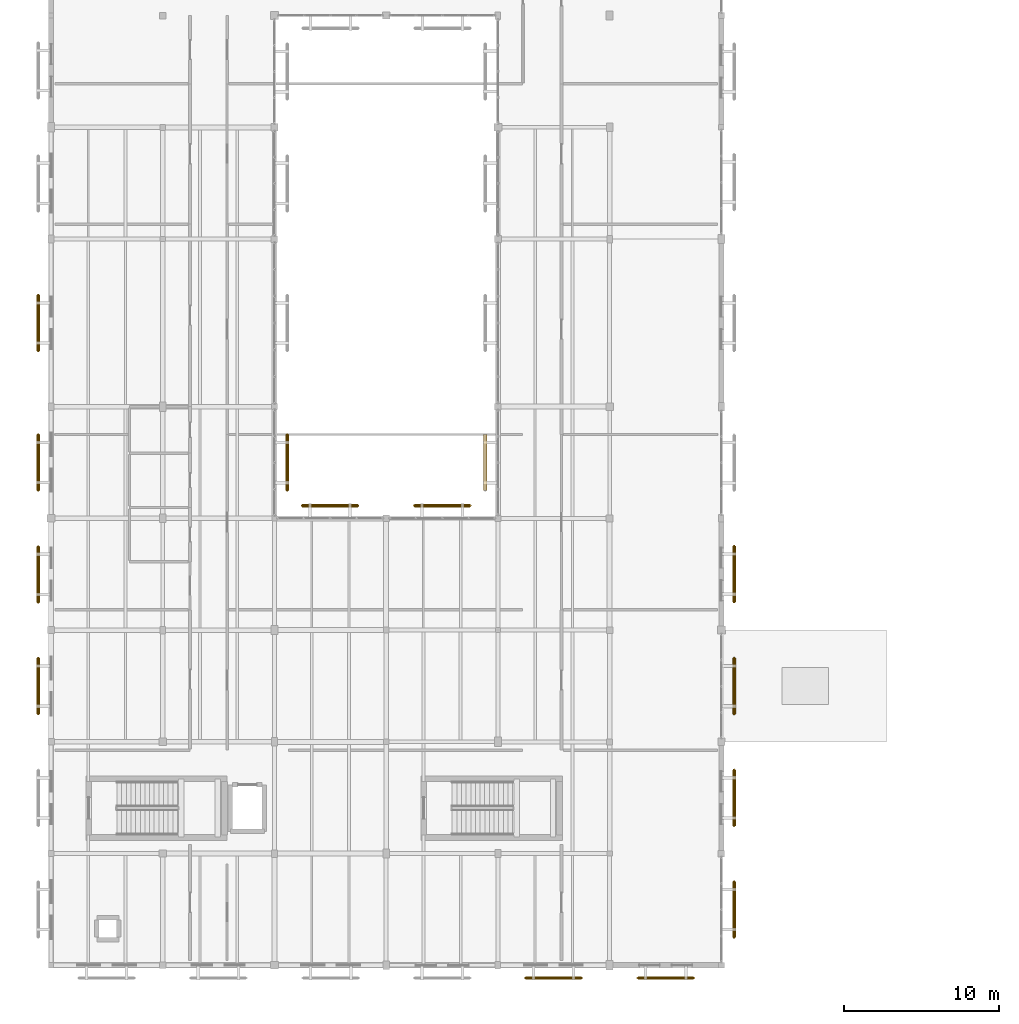
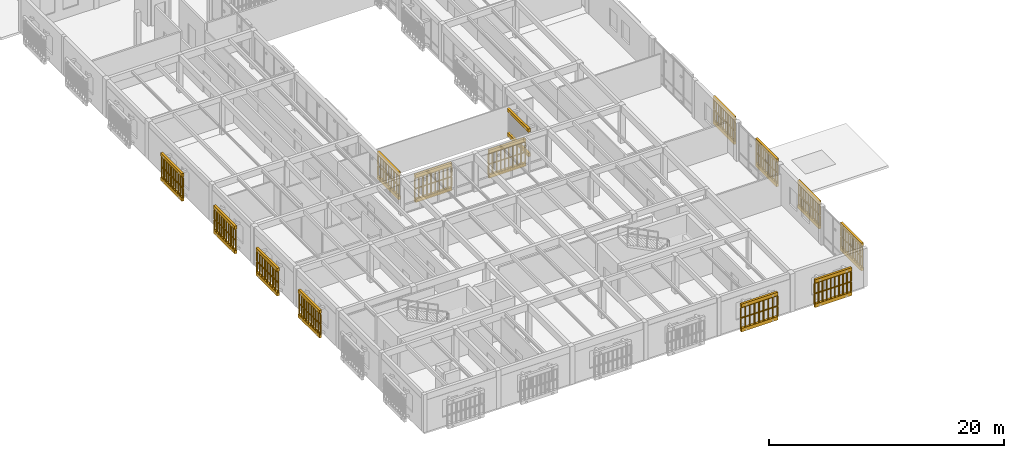
# One storey, part 57 of 61: 28 coverings, 26 railings.
"""IFC4 building model written with IfcOpenShell, lengths in metres."""

from ifc_helpers import new_model, si_unit, direction, frame, origin, origin_2d, place, context, subcontext, project, spatial, polyline, circle, outline, extrude, material, layer, layer_set, type_object, element, save


model = new_model("IFC4")

# Units and contexts
model_context = context("Model", 3, precision=1e-05, world=origin(), true_north=direction((0.0, 1.0)))
body_context = subcontext(model_context, "Body", "Model", "MODEL_VIEW")
ifc_project = project(units=[si_unit("LENGTHUNIT", "METRE"), si_unit("AREAUNIT", "SQUARE_METRE"), si_unit("VOLUMEUNIT", "CUBIC_METRE"), si_unit("PLANEANGLEUNIT", "RADIAN"), si_unit("MASSUNIT", "GRAM", prefix="KILO")], contexts=[model_context])

# Site, building, storey
site_placement = place(None, origin())
site = spatial("IfcSite", under=ifc_project, at=site_placement, CompositionType="ELEMENT")
building_placement = place(site_placement, origin())
building = spatial("IfcBuilding", under=site, at=building_placement, Name="Mazaris Harbour Polytechnic", CompositionType="ELEMENT")
storey_placement = place(building_placement, frame((0.0, 0.0, 18.0)))
storey = spatial("IfcBuildingStorey", under=building, at=storey_placement, Name="L04", CompositionType="ELEMENT", Elevation=18.0)

# Railings
ifc_material_1 = material(Name="Perforated Earth-Coloured Terracotta Block", Category="masonry")
railing_type = type_object("IfcRailingType", Name="Perforated Earth-Block Claustra Lattice 1040", PredefinedType="BALUSTRADE", material=ifc_material_1)
for number, where, name in (
    (1, (34.179931640625, 6.3798828125, 0.52001953125), "V4 L04 Lower Perforated Terracotta Block Screen 298"),
    (2, (34.179931640625, 6.3798828125, 1.610107421875), "V4 L04 Upper Perforated Terracotta Block Screen 298"),
):
    element("IfcRailing", number, at=place(storey_placement, frame(where)), inside=storey, type_object=railing_type, Name=name, PredefinedType="BALUSTRADE", context=body_context, shape_type="SweptSolid", body=[
        extrude(circle(Radius=0.06982421875, at=origin_2d()), frame((0.0, 0.0, 1.02001953125), z_axis=(-1.0, 0.0, 0.0), x_axis=(0.0, -1.0, 0.0)), (0.0, 0.0, 1.0), 3.599853515625),
        extrude(circle(Radius=0.074951171875, at=origin_2d()), origin(), (0.0, 0.0, 1.0), 0.9501953125),
        extrude(circle(Radius=0.074951171875, at=origin_2d()), frame((-0.449951171875, 0.0, 0.0)), (0.0, 0.0, 1.0), 0.9501953125),
        extrude(circle(Radius=0.074951171875, at=origin_2d()), frame((-0.89990234375, 0.0, 0.0)), (0.0, 0.0, 1.0), 0.9501953125),
        extrude(circle(Radius=0.074951171875, at=origin_2d()), frame((-1.349853515625, 0.0, 0.0)), (0.0, 0.0, 1.0), 0.9501953125),
        extrude(circle(Radius=0.074951171875, at=origin_2d()), frame((-1.7998046875, 0.0, 0.0)), (0.0, 0.0, 1.0), 0.9501953125),
        extrude(circle(Radius=0.074951171875, at=origin_2d()), frame((-2.25, 0.0, 0.0)), (0.0, 0.0, 1.0), 0.9501953125),
        extrude(circle(Radius=0.074951171875, at=origin_2d()), frame((-2.699951171875, 0.0, 0.0)), (0.0, 0.0, 1.0), 0.9501953125),
        extrude(circle(Radius=0.074951171875, at=origin_2d()), frame((-3.14990234375, 0.0, 0.0)), (0.0, 0.0, 1.0), 0.9501953125),
        extrude(circle(Radius=0.074951171875, at=origin_2d()), frame((-3.599853515625, 0.0, 0.0)), (0.0, 0.0, 1.0), 0.9501953125),
    ])
for number, where, name in (
    (3, (41.4150390625, 6.3798828125, 0.52001953125), "V4 L04 Lower Perforated Terracotta Block Screen 299"),
    (4, (41.4150390625, 6.3798828125, 1.610107421875), "V4 L04 Upper Perforated Terracotta Block Screen 299"),
):
    element("IfcRailing", number, at=place(storey_placement, frame(where)), inside=storey, type_object=railing_type, Name=name, PredefinedType="BALUSTRADE", context=body_context, shape_type="SweptSolid", body=[
        extrude(circle(Radius=0.06982421875, at=origin_2d()), frame((0.0, 0.0, 1.02001953125), z_axis=(-1.0, 0.0, 0.0), x_axis=(0.0, -1.0, 0.0)), (0.0, 0.0, 1.0), 3.60009765625),
        extrude(circle(Radius=0.074951171875, at=origin_2d()), origin(), (0.0, 0.0, 1.0), 0.9501953125),
        extrude(circle(Radius=0.074951171875, at=origin_2d()), frame((-0.39990234375, 0.0, 0.0)), (0.0, 0.0, 1.0), 0.9501953125),
        extrude(circle(Radius=0.074951171875, at=origin_2d()), frame((-0.800048828125, 0.0, 0.0)), (0.0, 0.0, 1.0), 0.9501953125),
        extrude(circle(Radius=0.074951171875, at=origin_2d()), frame((-1.199951171875, 0.0, 0.0)), (0.0, 0.0, 1.0), 0.9501953125),
        extrude(circle(Radius=0.074951171875, at=origin_2d()), frame((-1.60009765625, 0.0, 0.0)), (0.0, 0.0, 1.0), 0.9501953125),
        extrude(circle(Radius=0.074951171875, at=origin_2d()), frame((-2.0, 0.0, 0.0)), (0.0, 0.0, 1.0), 0.9501953125),
        extrude(circle(Radius=0.074951171875, at=origin_2d()), frame((-2.400146484375, 0.0, 0.0)), (0.0, 0.0, 1.0), 0.9501953125),
        extrude(circle(Radius=0.074951171875, at=origin_2d()), frame((-2.800048828125, 0.0, 0.0)), (0.0, 0.0, 1.0), 0.9501953125),
        extrude(circle(Radius=0.074951171875, at=origin_2d()), frame((-3.2001953125, 0.0, 0.0)), (0.0, 0.0, 1.0), 0.9501953125),
        extrude(circle(Radius=0.074951171875, at=origin_2d()), frame((-3.60009765625, 0.0, 0.0)), (0.0, 0.0, 1.0), 0.9501953125),
    ])
for number, where, name in (
    (5, (-0.820068359375, 23.389892578125, 0.52001953125), "V4 L04 Lower Perforated Terracotta Block Screen 308"),
    (6, (-0.820068359375, 23.389892578125, 1.610107421875), "V4 L04 Upper Perforated Terracotta Block Screen 308"),
):
    element("IfcRailing", number, at=place(storey_placement, frame(where)), inside=storey, type_object=railing_type, Name=name, PredefinedType="BALUSTRADE", context=body_context, shape_type="SweptSolid", body=[
        extrude(circle(Radius=0.06982421875, at=origin_2d()), frame((0.0, 0.0, 1.02001953125), z_axis=(0.0, 1.0, 0.0), x_axis=(-1.0, 0.0, 0.0)), (0.0, 0.0, 1.0), 3.60009765625),
        extrude(circle(Radius=0.074951171875, at=origin_2d()), origin(), (0.0, 0.0, 1.0), 0.9501953125),
        extrude(circle(Radius=0.074951171875, at=origin_2d()), frame((0.0, 0.39990234375, 0.0)), (0.0, 0.0, 1.0), 0.9501953125),
        extrude(circle(Radius=0.074951171875, at=origin_2d()), frame((0.0, 0.800048828125, 0.0)), (0.0, 0.0, 1.0), 0.9501953125),
        extrude(circle(Radius=0.074951171875, at=origin_2d()), frame((0.0, 1.199951171875, 0.0)), (0.0, 0.0, 1.0), 0.9501953125),
        extrude(circle(Radius=0.074951171875, at=origin_2d()), frame((0.0, 1.60009765625, 0.0)), (0.0, 0.0, 1.0), 0.9501953125),
        extrude(circle(Radius=0.074951171875, at=origin_2d()), frame((0.0, 2.0, 0.0)), (0.0, 0.0, 1.0), 0.9501953125),
        extrude(circle(Radius=0.074951171875, at=origin_2d()), frame((0.0, 2.400146484375, 0.0)), (0.0, 0.0, 1.0), 0.9501953125),
        extrude(circle(Radius=0.074951171875, at=origin_2d()), frame((0.0, 2.800048828125, 0.0)), (0.0, 0.0, 1.0), 0.9501953125),
        extrude(circle(Radius=0.074951171875, at=origin_2d()), frame((0.0, 3.2001953125, 0.0)), (0.0, 0.0, 1.0), 0.9501953125),
        extrude(circle(Radius=0.074951171875, at=origin_2d()), frame((0.0, 3.60009765625, 0.0)), (0.0, 0.0, 1.0), 0.9501953125),
    ])
for number, where, name in (
    (7, (-0.820068359375, 30.590087890625, 0.52001953125), "V4 L04 Lower Perforated Terracotta Block Screen 309"),
    (8, (-0.820068359375, 30.590087890625, 1.610107421875), "V4 L04 Upper Perforated Terracotta Block Screen 309"),
):
    element("IfcRailing", number, at=place(storey_placement, frame(where)), inside=storey, type_object=railing_type, Name=name, PredefinedType="BALUSTRADE", context=body_context, shape_type="SweptSolid", body=[
        extrude(circle(Radius=0.06982421875, at=origin_2d()), frame((0.0, 0.0, 1.02001953125), z_axis=(0.0, 1.0, 0.0), x_axis=(-1.0, 0.0, 0.0)), (0.0, 0.0, 1.0), 3.599853515625),
        extrude(circle(Radius=0.074951171875, at=origin_2d()), origin(), (0.0, 0.0, 1.0), 0.9501953125),
        extrude(circle(Radius=0.074951171875, at=origin_2d()), frame((0.0, 0.449951171875, 0.0)), (0.0, 0.0, 1.0), 0.9501953125),
        extrude(circle(Radius=0.074951171875, at=origin_2d()), frame((0.0, 0.89990234375, 0.0)), (0.0, 0.0, 1.0), 0.9501953125),
        extrude(circle(Radius=0.074951171875, at=origin_2d()), frame((0.0, 1.349853515625, 0.0)), (0.0, 0.0, 1.0), 0.9501953125),
        extrude(circle(Radius=0.074951171875, at=origin_2d()), frame((0.0, 1.7998046875, 0.0)), (0.0, 0.0, 1.0), 0.9501953125),
        extrude(circle(Radius=0.074951171875, at=origin_2d()), frame((0.0, 2.25, 0.0)), (0.0, 0.0, 1.0), 0.9501953125),
        extrude(circle(Radius=0.074951171875, at=origin_2d()), frame((0.0, 2.699951171875, 0.0)), (0.0, 0.0, 1.0), 0.9501953125),
        extrude(circle(Radius=0.074951171875, at=origin_2d()), frame((0.0, 3.14990234375, 0.0)), (0.0, 0.0, 1.0), 0.9501953125),
        extrude(circle(Radius=0.074951171875, at=origin_2d()), frame((0.0, 3.599853515625, 0.0)), (0.0, 0.0, 1.0), 0.9501953125),
    ])
for number, where, name in (
    (9, (-0.820068359375, 37.804931640625, 0.52001953125), "V4 L04 Lower Perforated Terracotta Block Screen 310"),
    (10, (-0.820068359375, 37.804931640625, 1.610107421875), "V4 L04 Upper Perforated Terracotta Block Screen 310"),
    (11, (-0.820068359375, 46.784912109375, 0.52001953125), "V4 L04 Lower Perforated Terracotta Block Screen 311"),
    (12, (-0.820068359375, 46.784912109375, 1.610107421875), "V4 L04 Upper Perforated Terracotta Block Screen 311"),
):
    element("IfcRailing", number, at=place(storey_placement, frame(where)), inside=storey, type_object=railing_type, Name=name, PredefinedType="BALUSTRADE", context=body_context, shape_type="SweptSolid", body=[
        extrude(circle(Radius=0.06982421875, at=origin_2d()), frame((0.0, 0.0, 1.02001953125), z_axis=(0.0, 1.0, 0.0), x_axis=(-1.0, 0.0, 0.0)), (0.0, 0.0, 1.0), 3.60009765625),
        extrude(circle(Radius=0.074951171875, at=origin_2d()), origin(), (0.0, 0.0, 1.0), 0.9501953125),
        extrude(circle(Radius=0.074951171875, at=origin_2d()), frame((0.0, 0.39990234375, 0.0)), (0.0, 0.0, 1.0), 0.9501953125),
        extrude(circle(Radius=0.074951171875, at=origin_2d()), frame((0.0, 0.800048828125, 0.0)), (0.0, 0.0, 1.0), 0.9501953125),
        extrude(circle(Radius=0.074951171875, at=origin_2d()), frame((0.0, 1.199951171875, 0.0)), (0.0, 0.0, 1.0), 0.9501953125),
        extrude(circle(Radius=0.074951171875, at=origin_2d()), frame((0.0, 1.60009765625, 0.0)), (0.0, 0.0, 1.0), 0.9501953125),
        extrude(circle(Radius=0.074951171875, at=origin_2d()), frame((0.0, 2.0, 0.0)), (0.0, 0.0, 1.0), 0.9501953125),
        extrude(circle(Radius=0.074951171875, at=origin_2d()), frame((0.0, 2.400146484375, 0.0)), (0.0, 0.0, 1.0), 0.9501953125),
        extrude(circle(Radius=0.074951171875, at=origin_2d()), frame((0.0, 2.800048828125, 0.0)), (0.0, 0.0, 1.0), 0.9501953125),
        extrude(circle(Radius=0.074951171875, at=origin_2d()), frame((0.0, 3.2001953125, 0.0)), (0.0, 0.0, 1.0), 0.9501953125),
        extrude(circle(Radius=0.074951171875, at=origin_2d()), frame((0.0, 3.60009765625, 0.0)), (0.0, 0.0, 1.0), 0.9501953125),
    ])
for number, where, name in (
    (13, (44.02001953125, 12.590087890625, 0.52001953125), "V4 L04 Lower Perforated Terracotta Block Screen 315"),
    (14, (44.02001953125, 12.590087890625, 1.610107421875), "V4 L04 Upper Perforated Terracotta Block Screen 315"),
    (15, (44.02001953125, 19.7900390625, 0.52001953125), "V4 L04 Lower Perforated Terracotta Block Screen 316"),
    (16, (44.02001953125, 19.7900390625, 1.610107421875), "V4 L04 Upper Perforated Terracotta Block Screen 316"),
    (17, (44.02001953125, 26.989990234375, 0.52001953125), "V4 L04 Lower Perforated Terracotta Block Screen 317"),
    (18, (44.02001953125, 26.989990234375, 1.610107421875), "V4 L04 Upper Perforated Terracotta Block Screen 317"),
    (19, (44.02001953125, 34.205078125, 0.52001953125), "V4 L04 Lower Perforated Terracotta Block Screen 318"),
    (20, (44.02001953125, 34.205078125, 1.610107421875), "V4 L04 Upper Perforated Terracotta Block Screen 318"),
):
    element("IfcRailing", number, at=place(storey_placement, frame(where)), inside=storey, type_object=railing_type, Name=name, PredefinedType="BALUSTRADE", context=body_context, shape_type="SweptSolid", body=[
        extrude(circle(Radius=0.06982421875, at=origin_2d()), frame((0.0, 0.0, 1.02001953125), z_axis=(0.0, -1.0, 0.0), x_axis=(1.0, 0.0, 0.0)), (0.0, 0.0, 1.0), 3.60009765625),
        extrude(circle(Radius=0.074951171875, at=origin_2d()), origin(), (0.0, 0.0, 1.0), 0.9501953125),
        extrude(circle(Radius=0.074951171875, at=origin_2d()), frame((0.0, -0.39990234375, 0.0)), (0.0, 0.0, 1.0), 0.9501953125),
        extrude(circle(Radius=0.074951171875, at=origin_2d()), frame((0.0, -0.800048828125, 0.0)), (0.0, 0.0, 1.0), 0.9501953125),
        extrude(circle(Radius=0.074951171875, at=origin_2d()), frame((0.0, -1.199951171875, 0.0)), (0.0, 0.0, 1.0), 0.9501953125),
        extrude(circle(Radius=0.074951171875, at=origin_2d()), frame((0.0, -1.60009765625, 0.0)), (0.0, 0.0, 1.0), 0.9501953125),
        extrude(circle(Radius=0.074951171875, at=origin_2d()), frame((0.0, -2.0, 0.0)), (0.0, 0.0, 1.0), 0.9501953125),
        extrude(circle(Radius=0.074951171875, at=origin_2d()), frame((0.0, -2.400146484375, 0.0)), (0.0, 0.0, 1.0), 0.9501953125),
        extrude(circle(Radius=0.074951171875, at=origin_2d()), frame((0.0, -2.800048828125, 0.0)), (0.0, 0.0, 1.0), 0.9501953125),
        extrude(circle(Radius=0.074951171875, at=origin_2d()), frame((0.0, -3.2001953125, 0.0)), (0.0, 0.0, 1.0), 0.9501953125),
        extrude(circle(Radius=0.074951171875, at=origin_2d()), frame((0.0, -3.60009765625, 0.0)), (0.0, 0.0, 1.0), 0.9501953125),
    ])
for number, where, name in (
    (21, (16.179931640625, 36.820068359375, 0.52001953125), "V4 L04 Lower Perforated Terracotta Block Screen 324"),
    (22, (16.179931640625, 36.820068359375, 1.610107421875), "V4 L04 Upper Perforated Terracotta Block Screen 324"),
    (23, (23.409912109375, 36.820068359375, 0.52001953125), "V4 L04 Lower Perforated Terracotta Block Screen 325"),
    (24, (23.409912109375, 36.820068359375, 1.610107421875), "V4 L04 Upper Perforated Terracotta Block Screen 325"),
):
    element("IfcRailing", number, at=place(storey_placement, frame(where)), inside=storey, type_object=railing_type, Name=name, PredefinedType="BALUSTRADE", context=body_context, shape_type="SweptSolid", body=[
        extrude(circle(Radius=0.06982421875, at=origin_2d()), frame((0.0, 0.0, 1.02001953125), z_axis=(1.0, 0.0, 0.0), x_axis=(0.0, 1.0, 0.0)), (0.0, 0.0, 1.0), 3.60009765625),
        extrude(circle(Radius=0.074951171875, at=origin_2d()), origin(), (0.0, 0.0, 1.0), 0.9501953125),
        extrude(circle(Radius=0.074951171875, at=origin_2d()), frame((0.39990234375, 0.0, 0.0)), (0.0, 0.0, 1.0), 0.9501953125),
        extrude(circle(Radius=0.074951171875, at=origin_2d()), frame((0.800048828125, 0.0, 0.0)), (0.0, 0.0, 1.0), 0.9501953125),
        extrude(circle(Radius=0.074951171875, at=origin_2d()), frame((1.199951171875, 0.0, 0.0)), (0.0, 0.0, 1.0), 0.9501953125),
        extrude(circle(Radius=0.074951171875, at=origin_2d()), frame((1.60009765625, 0.0, 0.0)), (0.0, 0.0, 1.0), 0.9501953125),
        extrude(circle(Radius=0.074951171875, at=origin_2d()), frame((2.0, 0.0, 0.0)), (0.0, 0.0, 1.0), 0.9501953125),
        extrude(circle(Radius=0.074951171875, at=origin_2d()), frame((2.400146484375, 0.0, 0.0)), (0.0, 0.0, 1.0), 0.9501953125),
        extrude(circle(Radius=0.074951171875, at=origin_2d()), frame((2.800048828125, 0.0, 0.0)), (0.0, 0.0, 1.0), 0.9501953125),
        extrude(circle(Radius=0.074951171875, at=origin_2d()), frame((3.2001953125, 0.0, 0.0)), (0.0, 0.0, 1.0), 0.9501953125),
        extrude(circle(Radius=0.074951171875, at=origin_2d()), frame((3.60009765625, 0.0, 0.0)), (0.0, 0.0, 1.0), 0.9501953125),
    ])
for number, where, name in (
    (25, (15.219970703125, 37.7900390625, 0.52001953125), "V4 L04 Lower Perforated Terracotta Block Screen 328"),
    (26, (15.219970703125, 37.7900390625, 1.610107421875), "V4 L04 Upper Perforated Terracotta Block Screen 328"),
):
    element("IfcRailing", number, at=place(storey_placement, frame(where)), inside=storey, type_object=railing_type, Name=name, PredefinedType="BALUSTRADE", context=body_context, shape_type="SweptSolid", body=[
        extrude(circle(Radius=0.06982421875, at=origin_2d()), frame((0.0, 0.0, 1.02001953125), z_axis=(0.0, 1.0, 0.0), x_axis=(-1.0, 0.0, 0.0)), (0.0, 0.0, 1.0), 3.599853515625),
        extrude(circle(Radius=0.074951171875, at=origin_2d()), origin(), (0.0, 0.0, 1.0), 0.9501953125),
        extrude(circle(Radius=0.074951171875, at=origin_2d()), frame((0.0, 0.449951171875, 0.0)), (0.0, 0.0, 1.0), 0.9501953125),
        extrude(circle(Radius=0.074951171875, at=origin_2d()), frame((0.0, 0.89990234375, 0.0)), (0.0, 0.0, 1.0), 0.9501953125),
        extrude(circle(Radius=0.074951171875, at=origin_2d()), frame((0.0, 1.349853515625, 0.0)), (0.0, 0.0, 1.0), 0.9501953125),
        extrude(circle(Radius=0.074951171875, at=origin_2d()), frame((0.0, 1.7998046875, 0.0)), (0.0, 0.0, 1.0), 0.9501953125),
        extrude(circle(Radius=0.074951171875, at=origin_2d()), frame((0.0, 2.25, 0.0)), (0.0, 0.0, 1.0), 0.9501953125),
        extrude(circle(Radius=0.074951171875, at=origin_2d()), frame((0.0, 2.699951171875, 0.0)), (0.0, 0.0, 1.0), 0.9501953125),
        extrude(circle(Radius=0.074951171875, at=origin_2d()), frame((0.0, 3.14990234375, 0.0)), (0.0, 0.0, 1.0), 0.9501953125),
        extrude(circle(Radius=0.074951171875, at=origin_2d()), frame((0.0, 3.599853515625, 0.0)), (0.0, 0.0, 1.0), 0.9501953125),
    ])

# Coverings
ifc_material_2 = material(Name="Perforated Earth-Coloured Terracotta Block", Category="masonry")
ifc_layer = layer(ifc_material_2, 0.219970703125, Name="Perforated Earth-Coloured Terracotta Block")
ifc_layer_set = layer_set([ifc_layer], Name="Perforated Earth-Coloured Terracotta Block")
covering_type = type_object("IfcCoveringType", Name="Terracotta Screen Course Cladding 220", PredefinedType="CLADDING", material=ifc_layer_set)
covering_1_placement = place(storey_placement, frame((0.0, 0.0, 0.159912109375)))
element("IfcCovering", 27, at=covering_1_placement, inside=storey, type_object=covering_type, Name="V4 L04 Perforated Screen Sill Course 298", PredefinedType="CLADDING", context=body_context, shape_type="SweptSolid", body=[
    extrude(outline(polyline([(34.179931640625, 6.489990234375), (30.580078125, 6.489990234375), (30.580078125, 6.27001953125), (34.179931640625, 6.27001953125), (34.179931640625, 6.489990234375)])), origin(), (0.0, 0.0, 1.0), 0.360107421875),
])
covering_2_placement = place(storey_placement, frame((0.0, 0.0, 2.699951171875)))
element("IfcCovering", 28, at=covering_2_placement, inside=storey, type_object=covering_type, Name="V4 L04 Perforated Screen Lintel Course 298", PredefinedType="CLADDING", context=body_context, shape_type="SweptSolid", body=[
    extrude(outline(polyline([(34.179931640625, 6.489990234375), (30.580078125, 6.489990234375), (30.580078125, 6.27001953125), (34.179931640625, 6.27001953125), (34.179931640625, 6.489990234375)])), origin(), (0.0, 0.0, 1.0), 0.340087890625),
])
covering_3_placement = place(storey_placement, frame((0.0, 0.0, 0.159912109375)))
element("IfcCovering", 29, at=covering_3_placement, inside=storey, type_object=covering_type, Name="V4 L04 Perforated Screen Sill Course 299", PredefinedType="CLADDING", context=body_context, shape_type="SweptSolid", body=[
    extrude(outline(polyline([(41.4150390625, 6.489990234375), (37.81494140625, 6.489990234375), (37.81494140625, 6.27001953125), (41.4150390625, 6.27001953125), (41.4150390625, 6.489990234375)])), origin(), (0.0, 0.0, 1.0), 0.360107421875),
])
covering_4_placement = place(storey_placement, frame((0.0, 0.0, 2.699951171875)))
element("IfcCovering", 30, at=covering_4_placement, inside=storey, type_object=covering_type, Name="V4 L04 Perforated Screen Lintel Course 299", PredefinedType="CLADDING", context=body_context, shape_type="SweptSolid", body=[
    extrude(outline(polyline([(41.4150390625, 6.489990234375), (37.81494140625, 6.489990234375), (37.81494140625, 6.27001953125), (41.4150390625, 6.27001953125), (41.4150390625, 6.489990234375)])), origin(), (0.0, 0.0, 1.0), 0.340087890625),
])
covering_5_placement = place(storey_placement, frame((0.0, 0.0, 0.159912109375)))
element("IfcCovering", 31, at=covering_5_placement, inside=storey, type_object=covering_type, Name="V4 L04 Perforated Screen Sill Course 308", PredefinedType="CLADDING", context=body_context, shape_type="SweptSolid", body=[
    extrude(outline(polyline([(-0.7099609375, 23.389892578125), (-0.7099609375, 26.989990234375), (-0.929931640625, 26.989990234375), (-0.929931640625, 23.389892578125), (-0.7099609375, 23.389892578125)])), origin(), (0.0, 0.0, 1.0), 0.360107421875),
])
covering_6_placement = place(storey_placement, frame((0.0, 0.0, 2.699951171875)))
element("IfcCovering", 32, at=covering_6_placement, inside=storey, type_object=covering_type, Name="V4 L04 Perforated Screen Lintel Course 308", PredefinedType="CLADDING", context=body_context, shape_type="SweptSolid", body=[
    extrude(outline(polyline([(-0.7099609375, 23.389892578125), (-0.7099609375, 26.989990234375), (-0.929931640625, 26.989990234375), (-0.929931640625, 23.389892578125), (-0.7099609375, 23.389892578125)])), origin(), (0.0, 0.0, 1.0), 0.340087890625),
])
covering_7_placement = place(storey_placement, frame((0.0, 0.0, 0.159912109375)))
element("IfcCovering", 33, at=covering_7_placement, inside=storey, type_object=covering_type, Name="V4 L04 Perforated Screen Sill Course 309", PredefinedType="CLADDING", context=body_context, shape_type="SweptSolid", body=[
    extrude(outline(polyline([(-0.7099609375, 30.590087890625), (-0.7099609375, 34.18994140625), (-0.929931640625, 34.18994140625), (-0.929931640625, 30.590087890625), (-0.7099609375, 30.590087890625)])), origin(), (0.0, 0.0, 1.0), 0.360107421875),
])
covering_8_placement = place(storey_placement, frame((0.0, 0.0, 2.699951171875)))
element("IfcCovering", 34, at=covering_8_placement, inside=storey, type_object=covering_type, Name="V4 L04 Perforated Screen Lintel Course 309", PredefinedType="CLADDING", context=body_context, shape_type="SweptSolid", body=[
    extrude(outline(polyline([(-0.7099609375, 30.590087890625), (-0.7099609375, 34.18994140625), (-0.929931640625, 34.18994140625), (-0.929931640625, 30.590087890625), (-0.7099609375, 30.590087890625)])), origin(), (0.0, 0.0, 1.0), 0.340087890625),
])
covering_9_placement = place(storey_placement, frame((0.0, 0.0, 0.159912109375)))
element("IfcCovering", 35, at=covering_9_placement, inside=storey, type_object=covering_type, Name="V4 L04 Perforated Screen Sill Course 310", PredefinedType="CLADDING", context=body_context, shape_type="SweptSolid", body=[
    extrude(outline(polyline([(-0.7099609375, 37.804931640625), (-0.7099609375, 41.405029296875), (-0.929931640625, 41.405029296875), (-0.929931640625, 37.804931640625), (-0.7099609375, 37.804931640625)])), origin(), (0.0, 0.0, 1.0), 0.360107421875),
])
covering_10_placement = place(storey_placement, frame((0.0, 0.0, 2.699951171875)))
element("IfcCovering", 36, at=covering_10_placement, inside=storey, type_object=covering_type, Name="V4 L04 Perforated Screen Lintel Course 310", PredefinedType="CLADDING", context=body_context, shape_type="SweptSolid", body=[
    extrude(outline(polyline([(-0.7099609375, 37.804931640625), (-0.7099609375, 41.405029296875), (-0.929931640625, 41.405029296875), (-0.929931640625, 37.804931640625), (-0.7099609375, 37.804931640625)])), origin(), (0.0, 0.0, 1.0), 0.340087890625),
])
covering_11_placement = place(storey_placement, frame((0.0, 0.0, 0.159912109375)))
element("IfcCovering", 37, at=covering_11_placement, inside=storey, type_object=covering_type, Name="V4 L04 Perforated Screen Sill Course 311", PredefinedType="CLADDING", context=body_context, shape_type="SweptSolid", body=[
    extrude(outline(polyline([(-0.7099609375, 46.784912109375), (-0.7099609375, 50.385009765625), (-0.929931640625, 50.385009765625), (-0.929931640625, 46.784912109375), (-0.7099609375, 46.784912109375)])), origin(), (0.0, 0.0, 1.0), 0.360107421875),
])
covering_12_placement = place(storey_placement, frame((0.0, 0.0, 2.699951171875)))
element("IfcCovering", 38, at=covering_12_placement, inside=storey, type_object=covering_type, Name="V4 L04 Perforated Screen Lintel Course 311", PredefinedType="CLADDING", context=body_context, shape_type="SweptSolid", body=[
    extrude(outline(polyline([(-0.7099609375, 46.784912109375), (-0.7099609375, 50.385009765625), (-0.929931640625, 50.385009765625), (-0.929931640625, 46.784912109375), (-0.7099609375, 46.784912109375)])), origin(), (0.0, 0.0, 1.0), 0.340087890625),
])
covering_13_placement = place(storey_placement, frame((0.0, 0.0, 0.159912109375)))
element("IfcCovering", 39, at=covering_13_placement, inside=storey, type_object=covering_type, Name="V4 L04 Perforated Screen Sill Course 315", PredefinedType="CLADDING", context=body_context, shape_type="SweptSolid", body=[
    extrude(outline(polyline([(43.909912109375, 12.590087890625), (43.909912109375, 8.989990234375), (44.1298828125, 8.989990234375), (44.1298828125, 12.590087890625), (43.909912109375, 12.590087890625)])), origin(), (0.0, 0.0, 1.0), 0.360107421875),
])
covering_14_placement = place(storey_placement, frame((0.0, 0.0, 2.699951171875)))
element("IfcCovering", 40, at=covering_14_placement, inside=storey, type_object=covering_type, Name="V4 L04 Perforated Screen Lintel Course 315", PredefinedType="CLADDING", context=body_context, shape_type="SweptSolid", body=[
    extrude(outline(polyline([(43.909912109375, 12.590087890625), (43.909912109375, 8.989990234375), (44.1298828125, 8.989990234375), (44.1298828125, 12.590087890625), (43.909912109375, 12.590087890625)])), origin(), (0.0, 0.0, 1.0), 0.340087890625),
])
covering_15_placement = place(storey_placement, frame((0.0, 0.0, 0.159912109375)))
element("IfcCovering", 41, at=covering_15_placement, inside=storey, type_object=covering_type, Name="V4 L04 Perforated Screen Sill Course 316", PredefinedType="CLADDING", context=body_context, shape_type="SweptSolid", body=[
    extrude(outline(polyline([(43.909912109375, 19.7900390625), (43.909912109375, 16.18994140625), (44.1298828125, 16.18994140625), (44.1298828125, 19.7900390625), (43.909912109375, 19.7900390625)])), origin(), (0.0, 0.0, 1.0), 0.360107421875),
])
covering_16_placement = place(storey_placement, frame((0.0, 0.0, 2.699951171875)))
element("IfcCovering", 42, at=covering_16_placement, inside=storey, type_object=covering_type, Name="V4 L04 Perforated Screen Lintel Course 316", PredefinedType="CLADDING", context=body_context, shape_type="SweptSolid", body=[
    extrude(outline(polyline([(43.909912109375, 19.7900390625), (43.909912109375, 16.18994140625), (44.1298828125, 16.18994140625), (44.1298828125, 19.7900390625), (43.909912109375, 19.7900390625)])), origin(), (0.0, 0.0, 1.0), 0.340087890625),
])
covering_17_placement = place(storey_placement, frame((0.0, 0.0, 0.159912109375)))
element("IfcCovering", 43, at=covering_17_placement, inside=storey, type_object=covering_type, Name="V4 L04 Perforated Screen Sill Course 317", PredefinedType="CLADDING", context=body_context, shape_type="SweptSolid", body=[
    extrude(outline(polyline([(43.909912109375, 26.989990234375), (43.909912109375, 23.389892578125), (44.1298828125, 23.389892578125), (44.1298828125, 26.989990234375), (43.909912109375, 26.989990234375)])), origin(), (0.0, 0.0, 1.0), 0.360107421875),
])
covering_18_placement = place(storey_placement, frame((0.0, 0.0, 2.699951171875)))
element("IfcCovering", 44, at=covering_18_placement, inside=storey, type_object=covering_type, Name="V4 L04 Perforated Screen Lintel Course 317", PredefinedType="CLADDING", context=body_context, shape_type="SweptSolid", body=[
    extrude(outline(polyline([(43.909912109375, 26.989990234375), (43.909912109375, 23.389892578125), (44.1298828125, 23.389892578125), (44.1298828125, 26.989990234375), (43.909912109375, 26.989990234375)])), origin(), (0.0, 0.0, 1.0), 0.340087890625),
])
covering_19_placement = place(storey_placement, frame((0.0, 0.0, 0.159912109375)))
element("IfcCovering", 45, at=covering_19_placement, inside=storey, type_object=covering_type, Name="V4 L04 Perforated Screen Sill Course 318", PredefinedType="CLADDING", context=body_context, shape_type="SweptSolid", body=[
    extrude(outline(polyline([(43.909912109375, 34.205078125), (43.909912109375, 30.60498046875), (44.1298828125, 30.60498046875), (44.1298828125, 34.205078125), (43.909912109375, 34.205078125)])), origin(), (0.0, 0.0, 1.0), 0.360107421875),
])
covering_20_placement = place(storey_placement, frame((0.0, 0.0, 2.699951171875)))
element("IfcCovering", 46, at=covering_20_placement, inside=storey, type_object=covering_type, Name="V4 L04 Perforated Screen Lintel Course 318", PredefinedType="CLADDING", context=body_context, shape_type="SweptSolid", body=[
    extrude(outline(polyline([(43.909912109375, 34.205078125), (43.909912109375, 30.60498046875), (44.1298828125, 30.60498046875), (44.1298828125, 34.205078125), (43.909912109375, 34.205078125)])), origin(), (0.0, 0.0, 1.0), 0.340087890625),
])
covering_21_placement = place(storey_placement, frame((0.0, 0.0, 0.159912109375)))
element("IfcCovering", 47, at=covering_21_placement, inside=storey, type_object=covering_type, Name="V4 L04 Perforated Screen Sill Course 324", PredefinedType="CLADDING", context=body_context, shape_type="SweptSolid", body=[
    extrude(outline(polyline([(16.179931640625, 36.7099609375), (19.780029296875, 36.7099609375), (19.780029296875, 36.929931640625), (16.179931640625, 36.929931640625), (16.179931640625, 36.7099609375)])), origin(), (0.0, 0.0, 1.0), 0.360107421875),
])
covering_22_placement = place(storey_placement, frame((0.0, 0.0, 2.699951171875)))
element("IfcCovering", 48, at=covering_22_placement, inside=storey, type_object=covering_type, Name="V4 L04 Perforated Screen Lintel Course 324", PredefinedType="CLADDING", context=body_context, shape_type="SweptSolid", body=[
    extrude(outline(polyline([(16.179931640625, 36.7099609375), (19.780029296875, 36.7099609375), (19.780029296875, 36.929931640625), (16.179931640625, 36.929931640625), (16.179931640625, 36.7099609375)])), origin(), (0.0, 0.0, 1.0), 0.340087890625),
])
covering_23_placement = place(storey_placement, frame((0.0, 0.0, 0.159912109375)))
element("IfcCovering", 49, at=covering_23_placement, inside=storey, type_object=covering_type, Name="V4 L04 Perforated Screen Sill Course 325", PredefinedType="CLADDING", context=body_context, shape_type="SweptSolid", body=[
    extrude(outline(polyline([(23.409912109375, 36.7099609375), (27.010009765625, 36.7099609375), (27.010009765625, 36.929931640625), (23.409912109375, 36.929931640625), (23.409912109375, 36.7099609375)])), origin(), (0.0, 0.0, 1.0), 0.360107421875),
])
covering_24_placement = place(storey_placement, frame((0.0, 0.0, 2.699951171875)))
element("IfcCovering", 50, at=covering_24_placement, inside=storey, type_object=covering_type, Name="V4 L04 Perforated Screen Lintel Course 325", PredefinedType="CLADDING", context=body_context, shape_type="SweptSolid", body=[
    extrude(outline(polyline([(23.409912109375, 36.7099609375), (27.010009765625, 36.7099609375), (27.010009765625, 36.929931640625), (23.409912109375, 36.929931640625), (23.409912109375, 36.7099609375)])), origin(), (0.0, 0.0, 1.0), 0.340087890625),
])
covering_25_placement = place(storey_placement, frame((0.0, 0.0, 0.159912109375)))
element("IfcCovering", 51, at=covering_25_placement, inside=storey, type_object=covering_type, Name="V4 L04 Perforated Screen Sill Course 328", PredefinedType="CLADDING", context=body_context, shape_type="SweptSolid", body=[
    extrude(outline(polyline([(15.110107421875, 37.7900390625), (15.110107421875, 41.389892578125), (15.330078125, 41.389892578125), (15.330078125, 37.7900390625), (15.110107421875, 37.7900390625)])), origin(), (0.0, 0.0, 1.0), 0.360107421875),
])
covering_26_placement = place(storey_placement, frame((0.0, 0.0, 2.699951171875)))
element("IfcCovering", 52, at=covering_26_placement, inside=storey, type_object=covering_type, Name="V4 L04 Perforated Screen Lintel Course 328", PredefinedType="CLADDING", context=body_context, shape_type="SweptSolid", body=[
    extrude(outline(polyline([(15.110107421875, 37.7900390625), (15.110107421875, 41.389892578125), (15.330078125, 41.389892578125), (15.330078125, 37.7900390625), (15.110107421875, 37.7900390625)])), origin(), (0.0, 0.0, 1.0), 0.340087890625),
])
covering_27_placement = place(storey_placement, frame((0.0, 0.0, 0.159912109375)))
element("IfcCovering", 53, at=covering_27_placement, inside=storey, type_object=covering_type, Name="V4 L04 Perforated Screen Sill Course 332", PredefinedType="CLADDING", context=body_context, shape_type="SweptSolid", body=[
    extrude(outline(polyline([(28.090087890625, 41.389892578125), (28.090087890625, 37.7900390625), (27.8701171875, 37.7900390625), (27.8701171875, 41.389892578125), (28.090087890625, 41.389892578125)])), origin(), (0.0, 0.0, 1.0), 0.360107421875),
])
covering_28_placement = place(storey_placement, frame((0.0, 0.0, 2.699951171875)))
element("IfcCovering", 54, at=covering_28_placement, inside=storey, type_object=covering_type, Name="V4 L04 Perforated Screen Lintel Course 332", PredefinedType="CLADDING", context=body_context, shape_type="SweptSolid", body=[
    extrude(outline(polyline([(28.090087890625, 41.389892578125), (28.090087890625, 37.7900390625), (27.8701171875, 37.7900390625), (27.8701171875, 41.389892578125), (28.090087890625, 41.389892578125)])), origin(), (0.0, 0.0, 1.0), 0.340087890625),
])

save(model, "model.ifc")
